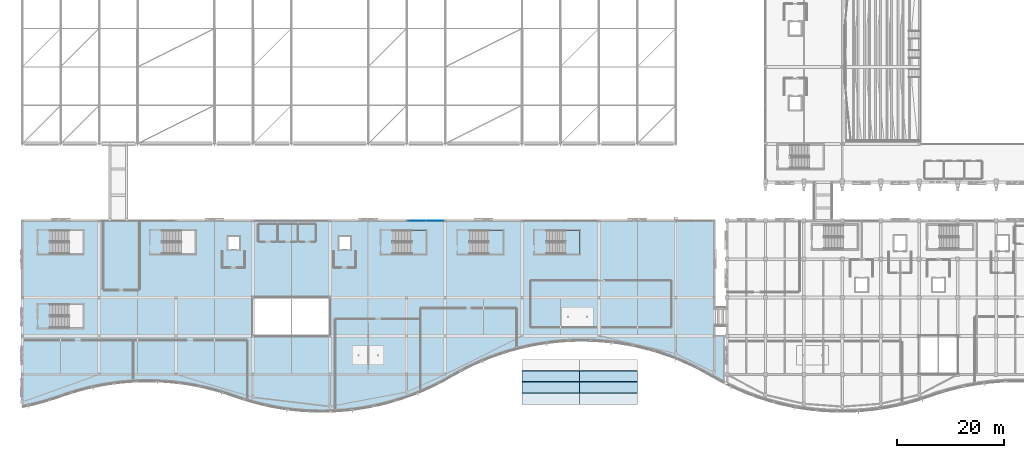
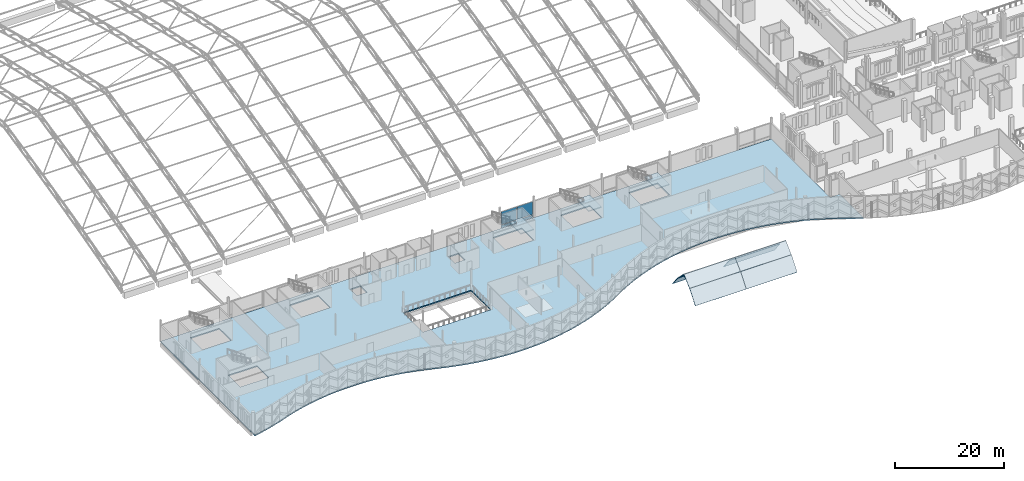
# One storey, part 113 of 193: 12 slabs, 4 plates, 4 elements without a shape of their own.
"""IFC4 building model written with IfcOpenShell, lengths in metres."""

from ifc_helpers import new_model, si_unit, direction, frame, origin, origin_2d, place, context, subcontext, project, spatial, polyline, rectangle, outline, extrude, material, layer, layer_set, type_object, element, aggregate, save


model = new_model("IFC4")

# Units and contexts
model_context = context("Model", 3, precision=1e-05, world=origin(), true_north=direction((0.0, 1.0)))
body_context = subcontext(model_context, "Body", "Model", "MODEL_VIEW")
ifc_project = project(units=[si_unit("LENGTHUNIT", "METRE"), si_unit("AREAUNIT", "SQUARE_METRE"), si_unit("VOLUMEUNIT", "CUBIC_METRE"), si_unit("PLANEANGLEUNIT", "RADIAN"), si_unit("MASSUNIT", "GRAM", prefix="KILO")], contexts=[model_context])

# Site, building, storey
site_placement = place(None, origin())
site = spatial("IfcSite", under=ifc_project, at=site_placement, CompositionType="ELEMENT")
building_placement = place(site_placement, origin())
building = spatial("IfcBuilding", under=site, at=building_placement, Name="Cendralis Lancet Convention Centre", CompositionType="ELEMENT")
storey_placement = place(building_placement, frame((0.0, 0.0, 10.199951171875)))
storey = spatial("IfcBuildingStorey", under=building, at=storey_placement, Name="L02", CompositionType="ELEMENT", Elevation=10.199951171875)

# Curtain wall, plates
ifc_material_1 = material(Name="Anodised bronze architectural aluminium", Category="aluminium")
curtain_wall_type = type_object("IfcCurtainWallType", Name="ARC-CW-CL02", PredefinedType="USERDEFINED", material=ifc_material_1)
curtain_wall_placement = place(storey_placement, origin())
curtain_wall = element("IfcCurtainWall", 1, at=curtain_wall_placement, inside=storey, type_object=curtain_wall_type, Name="L02 Curtain Wall CW-CL2 #172", ObjectType="CURTAIN WALL", PredefinedType="USERDEFINED")
ifc_material_2 = material(Name="Double-glazed low-E solar-control glass", Category="glass")
ifc_layer_1 = layer(ifc_material_2, 0.035888671875, Name="Double-glazed low-E solar-control glass")
ifc_layer_set_1 = layer_set([ifc_layer_1], Name="Double-glazed low-E solar-control glass")
plate_type_1 = type_object("IfcPlateType", Name="ARC-PL-GL03", PredefinedType="CURTAIN_PANEL", material=ifc_layer_set_1)
plate_1_placement = place(storey_placement, frame((73.89990234375, 36.0, 0.81982421875), z_axis=(0.0, 0.0, 1.0), x_axis=(1.0, 0.0, 0.0)))
plate_1 = element("IfcPlate", 2, at=plate_1_placement, type_object=plate_type_1, Name="Vision Glass Panel CW2-CW-CL2-L02-172-PG0", PredefinedType="CURTAIN_PANEL", context=body_context, shape_type="SweptSolid", body=[
    extrude(rectangle(XDim=3.260009765625, YDim=0.035888671875, at=origin_2d()), origin(), (0.0, 0.0, 1.0), 2.885009765625),
])
plate_2_placement = place(storey_placement, frame((77.300048828125, 36.0, 0.81982421875), z_axis=(0.0, 0.0, 1.0), x_axis=(1.0, 0.0, 0.0)))
plate_2 = element("IfcPlate", 3, at=plate_2_placement, type_object=plate_type_1, Name="Vision Glass Panel CW2-CW-CL2-L02-172-PG1", PredefinedType="CURTAIN_PANEL", context=body_context, shape_type="SweptSolid", body=[
    extrude(rectangle(XDim=3.260009765625, YDim=0.035888671875, at=origin_2d()), origin(), (0.0, 0.0, 1.0), 2.885009765625),
])
ifc_material_3 = material(Name="Insulated ceramic-fritted spandrel glass", Category="glass")
ifc_layer_2 = layer(ifc_material_3, 0.044921875, Name="Insulated ceramic-fritted spandrel glass")
ifc_layer_set_2 = layer_set([ifc_layer_2], Name="Insulated ceramic-fritted spandrel glass")
plate_type_2 = type_object("IfcPlateType", Name="ARC-PL-SP01", PredefinedType="CURTAIN_PANEL", material=ifc_layer_set_2)
plate_3_placement = place(storey_placement, frame((73.89990234375, 36.0, 0.06982421875), z_axis=(0.0, 0.0, 1.0), x_axis=(1.0, 0.0, 0.0)))
plate_3 = element("IfcPlate", 4, at=plate_3_placement, type_object=plate_type_2, Name="Spandrel Panel CW2-CW-CL2-L02-172-PS0", PredefinedType="CURTAIN_PANEL", context=body_context, shape_type="SweptSolid", body=[
    extrude(rectangle(XDim=3.260009765625, YDim=0.044921875, at=origin_2d()), origin(), (0.0, 0.0, 1.0), 0.610107421875),
])
plate_4_placement = place(storey_placement, frame((77.300048828125, 36.0, 0.06982421875), z_axis=(0.0, 0.0, 1.0), x_axis=(1.0, 0.0, 0.0)))
plate_4 = element("IfcPlate", 5, at=plate_4_placement, type_object=plate_type_2, Name="Spandrel Panel CW2-CW-CL2-L02-172-PS1", PredefinedType="CURTAIN_PANEL", context=body_context, shape_type="SweptSolid", body=[
    extrude(rectangle(XDim=3.260009765625, YDim=0.044921875, at=origin_2d()), origin(), (0.0, 0.0, 1.0), 0.610107421875),
])
aggregate(curtain_wall, [plate_3, plate_1, plate_4, plate_2])

# Slabs
ifc_material_4 = material(Name="Tempered solar-control canopy glass", Category="glass")
ifc_layer_3 = layer(ifc_material_4, 0.1201171875, Name="Tempered solar-control canopy glass")
ifc_layer_set_3 = layer_set([ifc_layer_3], Name="Tempered solar-control canopy glass")
slab_type_1 = type_object("IfcSlabType", Name="STR-SL-CG12", PredefinedType="ROOF", material=ifc_layer_set_3)
slab_1_placement = place(storey_placement, frame((93.60009765625, 1.60009765625, -4.023193359375), z_axis=(0.0, -0.790106888939, 0.612969088985), x_axis=(1.0, 0.0, 0.0)))
element("IfcSlab", 6, at=slab_1_placement, inside=storey, type_object=slab_type_1, Name="Entrance Canopy Tempered Glass Vault Panel 01-S1", PredefinedType="ROOF", context=body_context, shape_type="SweptSolid", body=[
    extrude(outline(polyline([(0.0, 0.0), (10.7998046875, 0.0), (10.7998046875, 3.3767187545753066), (0.0, 3.3767187545753066), (0.0, 0.0)])), origin(), (0.0, 0.0, -1.0), 0.1201171875),
])
for number, where, z_axis, x_axis, name in (
    (7, (93.60009765625, 3.72998046875, -1.38525390625), (0.0, -0.689726993635, 0.724069523079), (1.0, 0.0, 0.0), "Entrance Canopy Tempered Glass Vault Panel 01-S2"),
    (8, (93.60009765625, 5.842041015625, 0.546630859375), (0.0, 0.689726993635, 0.724069523079), (1.0, 0.0, 0.0), "Entrance Canopy Tempered Glass Vault Panel 01-N1"),
):
    element("IfcSlab", number, at=place(storey_placement, frame(where, z_axis=z_axis, x_axis=x_axis)), inside=storey, type_object=slab_type_1, Name=name, PredefinedType="ROOF", context=body_context, shape_type="SweptSolid", body=[
        extrude(outline(polyline([(0.0, 0.0), (10.7998046875, 0.0), (10.7998046875, 2.8009412179803266), (0.0, 2.8009412179803266), (0.0, 0.0)])), origin(), (0.0, 0.0, -1.0), 0.1201171875),
    ])
slab_2_placement = place(storey_placement, frame((93.60009765625, 7.929931640625, -1.355224609375), z_axis=(0.0, 0.790071872956, 0.613014221339), x_axis=(1.0, 0.0, 0.0)))
element("IfcSlab", 9, at=slab_2_placement, inside=storey, type_object=slab_type_1, Name="Entrance Canopy Tempered Glass Vault Panel 01-N2", PredefinedType="ROOF", context=body_context, shape_type="SweptSolid", body=[
    extrude(outline(polyline([(0.0, 0.0), (10.7998046875, 0.0), (10.7998046875, 3.37686841074124), (0.0, 3.37686841074124), (0.0, 0.0)])), origin(), (0.0, 0.0, -1.0), 0.1201171875),
])
slab_3_placement = place(storey_placement, frame((104.39990234375, 1.60009765625, -4.023193359375), z_axis=(0.0, -0.790106888939, 0.612969088985), x_axis=(1.0, 0.0, 0.0)))
element("IfcSlab", 10, at=slab_3_placement, inside=storey, type_object=slab_type_1, Name="Entrance Canopy Tempered Glass Vault Panel 02-S1", PredefinedType="ROOF", context=body_context, shape_type="SweptSolid", body=[
    extrude(outline(polyline([(0.0, 0.0), (10.800048828125, 0.0), (10.800048828125, 3.3767187545753066), (0.0, 3.3767187545753066), (0.0, 0.0)])), origin(), (0.0, 0.0, -1.0), 0.1201171875),
])
for number, where, z_axis, x_axis, name in (
    (11, (104.39990234375, 3.72998046875, -1.38525390625), (0.0, -0.689726993635, 0.724069523079), (1.0, 0.0, 0.0), "Entrance Canopy Tempered Glass Vault Panel 02-S2"),
    (12, (104.39990234375, 5.842041015625, 0.546630859375), (0.0, 0.689726993635, 0.724069523079), (1.0, 0.0, 0.0), "Entrance Canopy Tempered Glass Vault Panel 02-N1"),
):
    element("IfcSlab", number, at=place(storey_placement, frame(where, z_axis=z_axis, x_axis=x_axis)), inside=storey, type_object=slab_type_1, Name=name, PredefinedType="ROOF", context=body_context, shape_type="SweptSolid", body=[
        extrude(outline(polyline([(0.0, 0.0), (10.800048828125, 0.0), (10.800048828125, 2.800941217980327), (0.0, 2.800941217980327), (0.0, 0.0)])), origin(), (0.0, 0.0, -1.0), 0.1201171875),
    ])
slab_4_placement = place(storey_placement, frame((104.39990234375, 7.929931640625, -1.355224609375), z_axis=(0.0, 0.790071872956, 0.613014221339), x_axis=(1.0, 0.0, 0.0)))
element("IfcSlab", 13, at=slab_4_placement, inside=storey, type_object=slab_type_1, Name="Entrance Canopy Tempered Glass Vault Panel 02-N2", PredefinedType="ROOF", context=body_context, shape_type="SweptSolid", body=[
    extrude(outline(polyline([(0.0, 0.0), (10.800048828125, 0.0), (10.800048828125, 3.3768684107412397), (0.0, 3.3768684107412397), (0.0, 0.0)])), origin(), (0.0, 0.0, -1.0), 0.1201171875),
])
ifc_material_5 = material(Name="Concrete G35 (C35/45)", Category="concrete")
ifc_layer_4 = layer(ifc_material_5, 0.260009765625, Name="Concrete G35 (C35/45)")
ifc_layer_set_4 = layer_set([ifc_layer_4], Name="Concrete G35 (C35/45)")
slab_type_2 = type_object("IfcSlabType", Name="STR-SL-FS26", PredefinedType="FLOOR", material=ifc_layer_set_4)
slab_5_placement = place(storey_placement, frame((0.0, 0.0, -0.260009765625)))
element("IfcSlab", 14, at=slab_5_placement, inside=storey, type_object=slab_type_2, Name="L02 V4 Floor Slab FS-260", PredefinedType="FLOOR", context=body_context, shape_type="SweptSolid", body=[
    extrude(outline(polyline([(0.0, 1.324951171875), (2.02490234375, 1.762939453125), (4.050048828125, 2.2939453125), (6.075927734375, 2.9208984375), (8.10107421875, 3.6259765625), (10.1259765625, 4.260009765625), (12.15087890625, 4.798095703125), (14.177001953125, 5.242919921875), (16.201904296875, 5.597900390625), (18.22705078125, 5.864013671875), (20.251953125, 6.04296875), (22.278076171875, 6.135009765625), (24.302978515625, 6.14306640625), (26.327880859375, 6.06396484375), (28.35302734375, 5.89990234375), (30.3779296875, 5.64892578125), (32.404052734375, 5.31005859375), (34.428955078125, 4.8798828125), (36.4541015625, 4.35791015625), (38.47900390625, 3.739990234375), (40.5048828125, 3.035888671875), (42.530029296875, 2.39306640625), (44.554931640625, 1.845947265625), (46.580078125, 1.39306640625), (48.60595703125, 1.030029296875), (50.631103515625, 0.757080078125), (52.656005859375, 0.570068359375), (54.680908203125, 0.468994140625), (56.7060546875, 0.455078125), (58.73193359375, 0.52490234375), (60.757080078125, 0.680908203125), (62.781982421875, 0.925048828125), (64.806884765625, 1.256103515625), (66.8330078125, 1.677001953125), (68.85791015625, 2.19091796875), (70.883056640625, 2.800048828125), (72.907958984375, 3.508056640625), (74.93408203125, 4.321044921875), (76.958984375, 5.243896484375), (78.98388671875, 6.283935546875), (81.009033203125, 7.43896484375), (83.033935546875, 8.531005859375), (85.06005859375, 9.5029296875), (87.0849609375, 10.361083984375), (89.110107421875, 11.113037109375), (91.135009765625, 11.763916015625), (93.160888671875, 12.318115234375), (95.18603515625, 12.777099609375), (97.2109375, 13.14599609375), (99.236083984375, 13.426025390625), (101.261962890625, 13.618896484375), (103.287109375, 13.72607421875), (105.31201171875, 13.7470703125), (107.3369140625, 13.68310546875), (109.362060546875, 13.532958984375), (111.387939453125, 13.2958984375), (113.4130859375, 12.970947265625), (115.43798828125, 12.555908203125), (117.462890625, 12.050048828125), (119.489013671875, 11.447021484375), (121.513916015625, 10.74609375), (123.5390625, 9.94091796875), (125.56396484375, 9.027099609375), (127.590087890625, 7.9951171875), (129.614990234375, 6.843994140625), (131.639892578125, 5.742919921875), (131.639892578125, 14.39990234375), (129.60009765625, 14.39990234375), (129.60009765625, 36.0), (0.0, 36.0), (0.0, 1.324951171875)]), holes=[polyline([(43.199951171875, 14.39990234375), (57.60009765625, 14.39990234375), (57.60009765625, 21.60009765625), (43.199951171875, 21.60009765625), (43.199951171875, 14.39990234375)]), polyline([(26.31005859375, 29.800048828125), (32.39990234375, 29.800048828125), (32.39990234375, 34.179931640625), (26.31005859375, 34.179931640625), (26.31005859375, 29.800048828125)]), polyline([(69.510009765625, 29.800048828125), (75.60009765625, 29.800048828125), (75.60009765625, 34.179931640625), (69.510009765625, 34.179931640625), (69.510009765625, 29.800048828125)]), polyline([(5.31005859375, 15.949951171875), (11.39990234375, 15.949951171875), (11.39990234375, 20.330078125), (5.31005859375, 20.330078125), (5.31005859375, 15.949951171875)]), polyline([(98.31005859375, 29.800048828125), (104.39990234375, 29.800048828125), (104.39990234375, 34.179931640625), (98.31005859375, 34.179931640625), (98.31005859375, 29.800048828125)]), polyline([(5.31005859375, 29.800048828125), (11.39990234375, 29.800048828125), (11.39990234375, 34.179931640625), (5.31005859375, 34.179931640625), (5.31005859375, 29.800048828125)]), polyline([(83.909912109375, 29.800048828125), (90.0, 29.800048828125), (90.0, 34.179931640625), (83.909912109375, 34.179931640625), (83.909912109375, 29.800048828125)]), polyline([(38.550048828125, 30.60009765625), (40.64990234375, 30.60009765625), (40.64990234375, 33.0), (38.550048828125, 33.0), (38.550048828125, 30.60009765625)]), polyline([(59.35009765625, 30.60009765625), (61.449951171875, 30.60009765625), (61.449951171875, 33.0), (59.35009765625, 33.0), (59.35009765625, 30.60009765625)])]), origin(), (0.0, 0.0, 1.0), 0.260009765625),
])

# Stair, slab
stair_type = type_object("IfcStairType", Name="ARC-ST-CORE", PredefinedType="HALF_TURN_STAIR", material=ifc_material_5)
stair_1_placement = place(storey_placement, origin())
stair_1 = element("IfcStair", 15, at=stair_1_placement, inside=storey, type_object=stair_type, Name="L02 Protected Exit Stair ST-12", PredefinedType="HALF_TURN_STAIR")
ifc_layer_5 = layer(ifc_material_5, 0.199951171875, Name="Concrete G35 (C35/45)")
ifc_layer_set_5 = layer_set([ifc_layer_5], Name="Concrete G35 (C35/45)")
slab_type_3 = type_object("IfcSlabType", Name="STR-SL-LAND", PredefinedType="LANDING", material=ifc_layer_set_5)
slab_6_placement = place(storey_placement, frame((0.0, 0.0, 2.199951171875)))
slab_6 = element("IfcSlab", 16, at=slab_6_placement, type_object=slab_type_3, Name="ST-12 landing 1", PredefinedType="LANDING", context=body_context, shape_type="SweptSolid", body=[
    extrude(outline(polyline([(72.830078125, 29.800048828125), (75.60009765625, 29.800048828125), (75.60009765625, 34.179931640625), (72.830078125, 34.179931640625), (72.830078125, 29.800048828125)])), origin(), (0.0, 0.0, 1.0), 0.2001953125),
])
aggregate(stair_1, [slab_6])

stair_2_placement = place(storey_placement, origin())
stair_2 = element("IfcStair", 17, at=stair_2_placement, inside=storey, type_object=stair_type, Name="L02 Protected Exit Stair ST-18", PredefinedType="HALF_TURN_STAIR")
slab_7_placement = place(storey_placement, frame((0.0, 0.0, 2.199951171875)))
slab_7 = element("IfcSlab", 18, at=slab_7_placement, type_object=slab_type_3, Name="ST-18 landing 1", PredefinedType="LANDING", context=body_context, shape_type="SweptSolid", body=[
    extrude(outline(polyline([(101.6298828125, 29.800048828125), (104.39990234375, 29.800048828125), (104.39990234375, 34.179931640625), (101.6298828125, 34.179931640625), (101.6298828125, 29.800048828125)])), origin(), (0.0, 0.0, 1.0), 0.2001953125),
])
aggregate(stair_2, [slab_7])

stair_3_placement = place(storey_placement, origin())
stair_3 = element("IfcStair", 19, at=stair_3_placement, inside=storey, type_object=stair_type, Name="L02 Protected Exit Stair ST-21", PredefinedType="HALF_TURN_STAIR")
slab_8_placement = place(storey_placement, frame((0.0, 0.0, 2.199951171875)))
slab_8 = element("IfcSlab", 20, at=slab_8_placement, type_object=slab_type_3, Name="ST-21 landing 1", PredefinedType="LANDING", context=body_context, shape_type="SweptSolid", body=[
    extrude(outline(polyline([(87.22998046875, 29.800048828125), (90.0, 29.800048828125), (90.0, 34.179931640625), (87.22998046875, 34.179931640625), (87.22998046875, 29.800048828125)])), origin(), (0.0, 0.0, 1.0), 0.2001953125),
])
aggregate(stair_3, [slab_8])

save(model, "model.ifc")
